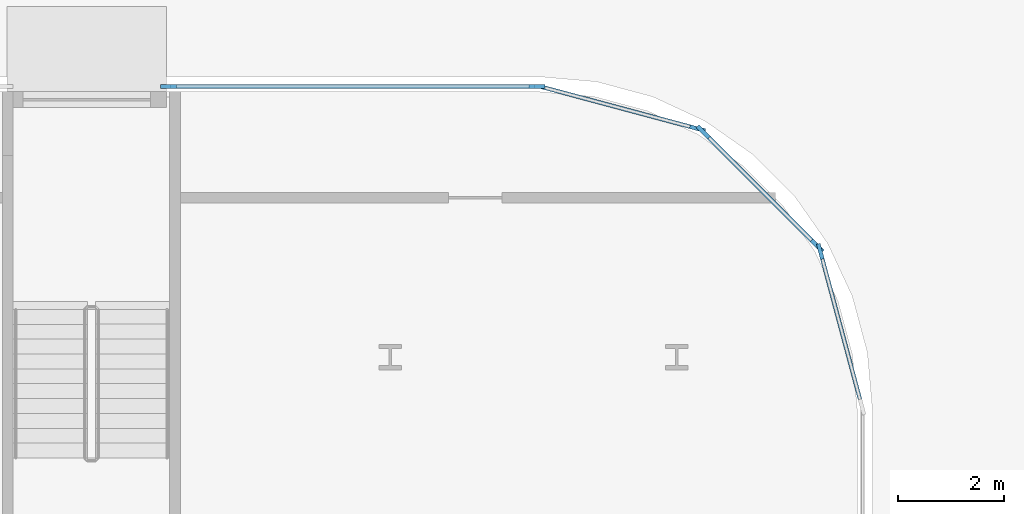
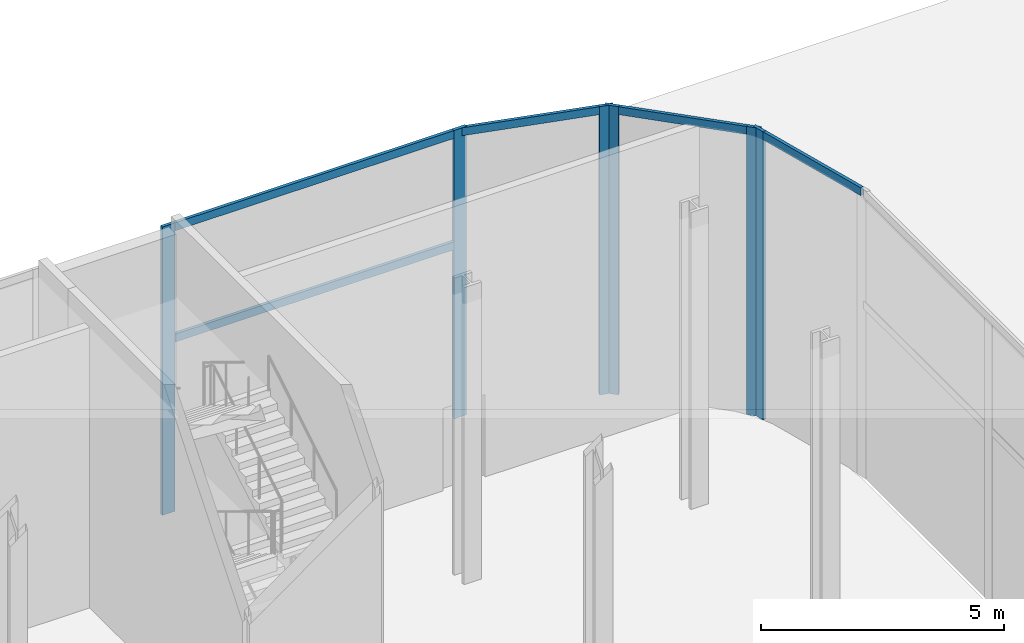
# One storey, part 16 of 46: 11 members, 4 elements without a shape of their own.
"""IFC4 building model written with IfcOpenShell, lengths in metres."""

import ifcopenshell
import ifcopenshell.guid

model = None  # the IFC model being written
_history = None  # IfcOwnerHistory: only IFC2X3 demands one
_inside = {}  # id of a spatial element -> (the spatial element, [elements in it])
_under = {}  # id of a project, library or spatial element -> (it, [spatial elements below it])
_declared = {}  # id of a project -> (the project, [libraries it declares])
_typed = {}  # id of a type object -> (the type object, [elements of that type])
_made_of = {}  # id of a material, layer set ... -> (it, [elements and type objects made of it])


def new_model(schema):
    """Start an empty IFC model of exactly this schema.

    Asked for "IFC4X3", IfcOpenShell would pick the latest addendum, in which some entities
    have other attributes; the version numbers below select the first issue.
    IFC2X3 requires an IfcOwnerHistory on every rooted entity: one is made here for all.
    """
    global model, _history
    if schema == "IFC4X3":
        model = ifcopenshell.file(schema_version=(4, 3, 0, 0))
    else:
        model = ifcopenshell.file(schema=schema)
    _inside.clear()
    _under.clear()
    _declared.clear()
    _typed.clear()
    _made_of.clear()
    _history = None
    if model.schema == "IFC2X3":
        org = make("IfcOrganization", Name="unknown")
        user = make(
            "IfcPersonAndOrganization",
            ThePerson=make("IfcPerson", FamilyName="unknown"),
            TheOrganization=org,
        )
        app = make(
            "IfcApplication",
            ApplicationDeveloper=org,
            Version="unknown",
            ApplicationFullName="unknown",
            ApplicationIdentifier="unknown",
        )
        _history = make(
            "IfcOwnerHistory",
            OwningUser=user,
            OwningApplication=app,
            ChangeAction="ADDED",
            CreationDate=0,
        )
    return model


def make(cls, **values):
    """One entity of the class cls with the attributes given. An attribute that is None is left unset."""
    return model.create_entity(
        cls, **{name: value for name, value in values.items() if value is not None}
    )


def rooted(cls, **values):
    """An entity with a GlobalId (a new one), such as an element, a storey or a relation."""
    return make(cls, GlobalId=ifcopenshell.guid.new(), OwnerHistory=_history, **values)


def si_unit(unit_type, name, prefix=None):
    """IfcSIUnit, for example si_unit("LENGTHUNIT", "METRE", prefix="MILLI")."""
    return make("IfcSIUnit", UnitType=unit_type, Prefix=prefix, Name=name)


def assignment(units):
    """IfcUnitAssignment: the units of a project."""
    return None if units is None else make("IfcUnitAssignment", Units=units)


def point(xyz):
    """IfcCartesianPoint."""
    return None if xyz is None else make("IfcCartesianPoint", Coordinates=xyz)


def direction(xyz):
    """IfcDirection."""
    return None if xyz is None else make("IfcDirection", DirectionRatios=xyz)


def frame(location, z_axis=None, x_axis=None):
    """IfcAxis2Placement3D, a coordinate frame: its origin and axes. An axis left out is left unset."""
    return make(
        "IfcAxis2Placement3D",
        Location=point(location),
        Axis=direction(z_axis),
        RefDirection=direction(x_axis),
    )


def frame_2d(location, x_axis=None):
    """IfcAxis2Placement2D, a coordinate frame in the plane: its origin and x axis."""
    return make(
        "IfcAxis2Placement2D", Location=point(location), RefDirection=direction(x_axis)
    )


def origin():
    """The frame at (0, 0, 0) with its axes left unset."""
    return frame((0.0, 0.0, 0.0))


def origin_2d():
    """The frame at (0, 0) in the plane with its x axis left unset."""
    return frame_2d((0.0, 0.0))


def place(relative_to, where):
    """IfcLocalPlacement: puts the frame where relative to a parent placement (None: the world)."""
    return make(
        "IfcLocalPlacement", PlacementRelTo=relative_to, RelativePlacement=where
    )


def context(
    kind, dimensions, precision=None, world=None, true_north=None, identifier=None
):
    """IfcGeometricRepresentationContext, for example the 3D "Model" context."""
    return make(
        "IfcGeometricRepresentationContext",
        ContextIdentifier=identifier,
        ContextType=kind,
        CoordinateSpaceDimension=dimensions,
        Precision=precision,
        WorldCoordinateSystem=world,
        TrueNorth=true_north,
    )


def subcontext(parent, identifier, kind, view, scale=None):
    """IfcGeometricRepresentationSubContext, for example "Body" below "Model"."""
    return make(
        "IfcGeometricRepresentationSubContext",
        ContextIdentifier=identifier,
        ContextType=kind,
        ParentContext=parent,
        TargetScale=scale,
        TargetView=view,
    )


def project(units=None, contexts=None):
    """IfcProject with its units and contexts."""
    return rooted(
        "IfcProject",
        Name="project",
        RepresentationContexts=contexts,
        UnitsInContext=assignment(units),
    )


def spatial(cls, under=None, at=None, **own):
    """A site, building, storey or space (cls), placed at a placement, below another one or the project."""
    s = rooted(cls, ObjectPlacement=at, **own)
    if under is not None:
        _under.setdefault(under.id(), (under, []))[1].append(s)
    return s


def profile(cls, at=None, kind="AREA", **sizes):
    """A parametric profile (cls). Its sizes go by their IFC names, for example OverallWidth=200.0."""
    return make(cls, ProfileType=kind, Position=at, **sizes)


def rectangle(**sizes):
    """IfcRectangleProfileDef."""
    return profile("IfcRectangleProfileDef", **sizes)


def extrude(swept, where, along, depth):
    """IfcExtrudedAreaSolid: the profile swept, set in the frame where, extruded along a direction by depth."""
    return make(
        "IfcExtrudedAreaSolid",
        SweptArea=swept,
        Position=where,
        ExtrudedDirection=direction(along),
        Depth=depth,
    )


def shape(context_of_items, identifier, shape_type, items):
    """IfcShapeRepresentation: the items that make up one representation, for example the "Body"."""
    return make(
        "IfcShapeRepresentation",
        ContextOfItems=context_of_items,
        RepresentationIdentifier=identifier,
        RepresentationType=shape_type,
        Items=items,
    )


def material(Name=None, Category=None):
    """IfcMaterial."""
    return make("IfcMaterial", Name=Name, Category=Category)


def layer(
    of_material, thickness, ventilated=None, Name=None, Category=None, Priority=None
):
    """IfcMaterialLayer: one layer of a wall or slab, of a material (None: an air gap)."""
    return make(
        "IfcMaterialLayer",
        Material=of_material,
        LayerThickness=thickness,
        IsVentilated=ventilated,
        Name=Name,
        Category=Category,
        Priority=Priority,
    )


def layer_set(layers, Name=None):
    """IfcMaterialLayerSet."""
    return make("IfcMaterialLayerSet", MaterialLayers=layers, LayerSetName=Name)


def material_profile(
    of_material, cross_section, Name=None, Category=None, Priority=None
):
    """IfcMaterialProfile: a cross section and its material."""
    return make(
        "IfcMaterialProfile",
        Name=Name,
        Material=of_material,
        Profile=cross_section,
        Priority=Priority,
        Category=Category,
    )


def profile_set(profiles, Name=None, composite=None):
    """IfcMaterialProfileSet."""
    return make(
        "IfcMaterialProfileSet",
        Name=Name,
        MaterialProfiles=profiles,
        CompositeProfile=composite,
    )


def made_of(thing, what):
    """Note that an element or type object is made of a material, layer set ...; save() writes the relation."""
    if what is not None:
        _made_of.setdefault(what.id(), (what, []))[1].append(thing)
    return thing


def type_object(cls, material=None, **own):
    """A type object (cls), such as IfcWallType, which elements share."""
    return made_of(rooted(cls, **own), material)


def element(
    cls,
    number,
    at=None,
    inside=None,
    cuts=None,
    type_object=None,
    material=None,
    context=None,
    identifier="Body",
    shape_type=None,
    held_by="IfcProductDefinitionShape",
    body=None,
    shapes=None,
    **own,
):
    """One element of the class cls, such as IfcWall. Its Tag is "e" and its number.

    at: its placement. inside: the storey or other place that contains it. cuts: it is an
    opening in that element (IfcRelVoidsElement). A single representation is given by context,
    identifier, shape_type and body (its items); several are given by shapes. held_by: the class
    of the entity that holds the representations. save() writes the other relations.
    """
    e = rooted(cls, Tag="e%d" % number, ObjectPlacement=at, **own)
    if body is not None:
        shapes = [shape(context, identifier, shape_type, body)]
    if shapes is not None:
        e.Representation = make(held_by, Representations=shapes)
    if inside is not None:
        _inside.setdefault(inside.id(), (inside, []))[1].append(e)
    if cuts is not None:
        rooted(
            "IfcRelVoidsElement", RelatingBuildingElement=cuts, RelatedOpeningElement=e
        )
    if type_object is not None:
        _typed.setdefault(type_object.id(), (type_object, []))[1].append(e)
    return made_of(e, material)


def aggregate(whole, parts):
    """IfcRelAggregates: a whole, such as a stair, and the parts it consists of."""
    return rooted("IfcRelAggregates", RelatingObject=whole, RelatedObjects=parts)


def save(model, path):
    """Write the relations noted so far, then the file.

    IfcRelAggregates (storeys below a building ...), IfcRelContainedInSpatialStructure (elements
    in a storey), IfcRelDefinesByType, IfcRelAssociatesMaterial and IfcRelDeclares: one each for
    every whole, place, type object, material and project.
    """
    for whole, parts in _under.values():
        aggregate(whole, parts)
    for where, things in _inside.values():
        rooted(
            "IfcRelContainedInSpatialStructure",
            RelatedElements=things,
            RelatingStructure=where,
        )
    for kind, things in _typed.values():
        rooted("IfcRelDefinesByType", RelatedObjects=things, RelatingType=kind)
    for what, things in _made_of.values():
        rooted("IfcRelAssociatesMaterial", RelatedObjects=things, RelatingMaterial=what)
    for by, libraries in _declared.values():
        rooted("IfcRelDeclares", RelatingContext=by, RelatedDefinitions=libraries)
    model.write(path)


model = new_model("IFC4")

# Units and contexts
model_context = context("Model", 3, precision=1e-05, world=origin(), true_north=direction((0.0, 1.0)))
body_context = subcontext(model_context, "Body", "Model", "MODEL_VIEW")
ifc_project = project(units=[si_unit("LENGTHUNIT", "METRE"), si_unit("AREAUNIT", "SQUARE_METRE"), si_unit("VOLUMEUNIT", "CUBIC_METRE"), si_unit("PLANEANGLEUNIT", "RADIAN"), si_unit("MASSUNIT", "GRAM", prefix="KILO")], contexts=[model_context])

# Site, building, storey
site_placement = place(None, origin())
site = spatial("IfcSite", under=ifc_project, at=site_placement, CompositionType="ELEMENT")
building_placement = place(site_placement, origin())
building = spatial("IfcBuilding", under=site, at=building_placement, Name="Kheshtan School and Residences Tower", CompositionType="ELEMENT")
storey_placement = place(building_placement, origin())
storey = spatial("IfcBuildingStorey", under=building, at=storey_placement, Name="L00", CompositionType="ELEMENT", Elevation=0.0)

# Curtain wall, members
ifc_material_1 = material(Name="Clear low-e glass in thermally broken aluminium frame", Category="aluminium")
ifc_layer = layer(ifc_material_1, 0.300048828125)
ifc_layer_set = layer_set([ifc_layer], Name="Curtain wall CW-A")
curtain_wall_type = type_object("IfcCurtainWallType", Name="Curtain wall CW-A", PredefinedType="NOTDEFINED", material=ifc_layer_set)
curtain_wall_1_placement = place(storey_placement, origin())
curtain_wall_1 = element("IfcCurtainWall", 1, at=curtain_wall_1_placement, inside=storey, type_object=curtain_wall_type, Name="Curtain wall CWA4e", PredefinedType="NOTDEFINED")
ifc_material_2 = material(Name="Thermally broken aluminium, dark bronze anodised", Category="aluminium")
ifc_material_profile_1 = material_profile(ifc_material_2, rectangle(XDim=0.074951171875, YDim=0.300048828125, at=origin_2d()), Name="CW-A mullion 75x300")
ifc_profile_set_1 = profile_set([ifc_material_profile_1], Name="Thermally broken aluminium, dark bronze anodised")
member_type_1 = type_object("IfcMemberType", Name="CW-A mullion 75x300", PredefinedType="MULLION", material=ifc_profile_set_1)
member_1_placement = place(storey_placement, frame((119.027587890625, 110.10009765625, 0.0), z_axis=(0.0, 0.0, 1.0), x_axis=(0.0, 1.0, 0.0)))
member_1 = element("IfcMember", 2, at=member_1_placement, type_object=member_type_1, Name="CWA4e mullion 1", PredefinedType="MULLION", context=body_context, shape_type="SweptSolid", body=[
    extrude(rectangle(XDim=0.074951171875, YDim=0.300048828125, at=origin_2d()), origin(), (0.0, 0.0, 1.0), 7.25),
])
member_2_placement = place(storey_placement, frame((125.96240234375, 110.10009765625, 0.0), z_axis=(0.0, 0.0, 1.0), x_axis=(0.0, 1.0, 0.0)))
member_2 = element("IfcMember", 3, at=member_2_placement, type_object=member_type_1, Name="CWA4e mullion 2", PredefinedType="MULLION", context=body_context, shape_type="SweptSolid", body=[
    extrude(rectangle(XDim=0.074951171875, YDim=0.300048828125, at=origin_2d()), origin(), (0.0, 0.0, 1.0), 7.25),
])

# Curtain wall, member
curtain_wall_2_placement = place(storey_placement, origin())
curtain_wall_2 = element("IfcCurtainWall", 4, at=curtain_wall_2_placement, inside=storey, type_object=curtain_wall_type, Name="Curtain wall CWA5", PredefinedType="NOTDEFINED")
member_3_placement = place(storey_placement, frame((128.98974609375, 109.30224609375, 0.0), z_axis=(0.0, 0.0, 1.0), x_axis=(0.258864833085, 0.965913556273, 0.0)))
member_3 = element("IfcMember", 5, at=member_3_placement, type_object=member_type_1, Name="CWA5 mullion 2", PredefinedType="MULLION", context=body_context, shape_type="SweptSolid", body=[
    extrude(rectangle(XDim=0.074951171875, YDim=0.300048828125, at=origin_2d()), origin(), (0.0, 0.0, 1.0), 7.25),
])

# Curtain wall, members
curtain_wall_3_placement = place(storey_placement, origin())
curtain_wall_3 = element("IfcCurtainWall", 6, at=curtain_wall_3_placement, inside=storey, type_object=curtain_wall_type, Name="Curtain wall CWA6", PredefinedType="NOTDEFINED")
member_4_placement = place(storey_placement, frame((129.09716796875, 109.240234375, 0.0), z_axis=(0.0, 0.0, 1.0), x_axis=(0.707106781187, 0.707106781187, 0.0)))
member_4 = element("IfcMember", 7, at=member_4_placement, type_object=member_type_1, Name="CWA6 mullion 1", PredefinedType="MULLION", context=body_context, shape_type="SweptSolid", body=[
    extrude(rectangle(XDim=0.074951171875, YDim=0.300048828125, at=origin_2d()), origin(), (0.0, 0.0, 1.0), 7.25),
])
member_5_placement = place(storey_placement, frame((131.240234375, 107.09716796875, 0.0), z_axis=(0.0, 0.0, 1.0), x_axis=(0.707106781187, 0.707106781187, 0.0)))
member_5 = element("IfcMember", 8, at=member_5_placement, type_object=member_type_1, Name="CWA6 mullion 2", PredefinedType="MULLION", context=body_context, shape_type="SweptSolid", body=[
    extrude(rectangle(XDim=0.074951171875, YDim=0.300048828125, at=origin_2d()), origin(), (0.0, 0.0, 1.0), 7.25),
])

# Curtain wall, member
curtain_wall_4_placement = place(storey_placement, origin())
curtain_wall_4 = element("IfcCurtainWall", 9, at=curtain_wall_4_placement, inside=storey, type_object=curtain_wall_type, Name="Curtain wall CWA7", PredefinedType="NOTDEFINED")
member_6_placement = place(storey_placement, frame((131.30224609375, 106.98974609375, 0.0), z_axis=(0.0, 0.0, 1.0), x_axis=(0.965913556273, 0.258864833085, 0.0)))
member_6 = element("IfcMember", 10, at=member_6_placement, type_object=member_type_1, Name="CWA7 mullion 1", PredefinedType="MULLION", context=body_context, shape_type="SweptSolid", body=[
    extrude(rectangle(XDim=0.074951171875, YDim=0.300048828125, at=origin_2d()), origin(), (0.0, 0.0, 1.0), 7.25),
])

# Member
ifc_material_profile_2 = material_profile(ifc_material_2, rectangle(XDim=0.074951171875, YDim=0.199951171875, at=origin_2d()), Name="CW-A transom 75x200")
ifc_profile_set_2 = profile_set([ifc_material_profile_2], Name="Thermally broken aluminium, dark bronze anodised")
member_type_2 = type_object("IfcMemberType", Name="CW-A transom 75x200", PredefinedType="USERDEFINED", material=ifc_profile_set_2)
member_7_placement = place(storey_placement, frame((119.06494140625, 110.10009765625, 4.35009765625), z_axis=(1.0, 0.0, 0.0), x_axis=(0.0, 1.0, 0.0)))
member_7 = element("IfcMember", 11, at=member_7_placement, type_object=member_type_2, Name="CWA4e transom 1", ObjectType="TRANSOM", PredefinedType="USERDEFINED", context=body_context, shape_type="SweptSolid", body=[
    extrude(rectangle(XDim=0.074951171875, YDim=0.199951171875, at=origin_2d()), origin(), (0.0, 0.0, 1.0), 6.860107421875),
])

member_8_placement = place(storey_placement, frame((119.06494140625, 110.10009765625, 7.14990234375), z_axis=(1.0, 0.0, 0.0), x_axis=(0.0, 1.0, 0.0)))
member_8 = element("IfcMember", 12, at=member_8_placement, type_object=member_type_2, Name="CWA4e transom 2", ObjectType="TRANSOM", PredefinedType="USERDEFINED", context=body_context, shape_type="SweptSolid", body=[
    extrude(rectangle(XDim=0.074951171875, YDim=0.199951171875, at=origin_2d()), origin(), (0.0, 0.0, 1.0), 6.860107421875),
])

aggregate(curtain_wall_1, [member_1, member_2, member_7, member_8])

member_9_placement = place(storey_placement, frame((126.002197265625, 110.10302734375, 7.14990234375), z_axis=(0.965905244174, -0.258895846387, 0.0), x_axis=(0.258895846387, 0.965905244174, 0.0)))
member_9 = element("IfcMember", 13, at=member_9_placement, type_object=member_type_2, Name="CWA5 transom 1", ObjectType="TRANSOM", PredefinedType="USERDEFINED", context=body_context, shape_type="SweptSolid", body=[
    extrude(rectangle(XDim=0.074951171875, YDim=0.199951171875, at=origin_2d()), origin(), (0.0, 0.0, 1.0), 3.055419921875),
])

aggregate(curtain_wall_2, [member_3, member_9])

member_10_placement = place(storey_placement, frame((129.123779296875, 109.213623046875, 7.14990234375), z_axis=(0.707106781187, -0.707106781187, 0.0), x_axis=(0.707106781187, 0.707106781187, 0.0)))
member_10 = element("IfcMember", 14, at=member_10_placement, type_object=member_type_2, Name="CWA6 transom 1", ObjectType="TRANSOM", PredefinedType="USERDEFINED", context=body_context, shape_type="SweptSolid", body=[
    extrude(rectangle(XDim=0.074951171875, YDim=0.199951171875, at=origin_2d()), origin(), (0.0, 0.0, 1.0), 2.95556640625),
])

aggregate(curtain_wall_3, [member_4, member_5, member_10])

member_11_placement = place(storey_placement, frame((131.31201171875, 106.953369140625, 7.14990234375), z_axis=(0.258865449593, -0.965913391048, 0.0), x_axis=(0.965913391048, 0.258865449593, 0.0)))
member_11 = element("IfcMember", 15, at=member_11_placement, type_object=member_type_2, Name="CWA7 transom 1", ObjectType="TRANSOM", PredefinedType="USERDEFINED", context=body_context, shape_type="SweptSolid", body=[
    extrude(rectangle(XDim=0.074951171875, YDim=0.199951171875, at=origin_2d()), origin(), (0.0, 0.0, 1.0), 2.955810546875),
])

aggregate(curtain_wall_4, [member_6, member_11])

save(model, "model.ifc")
